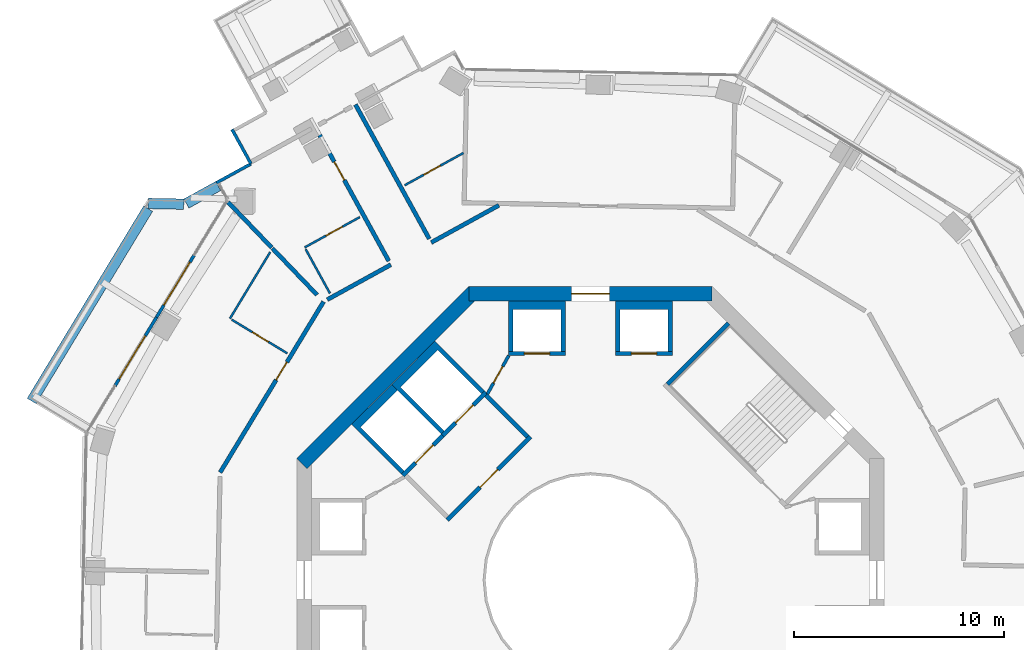
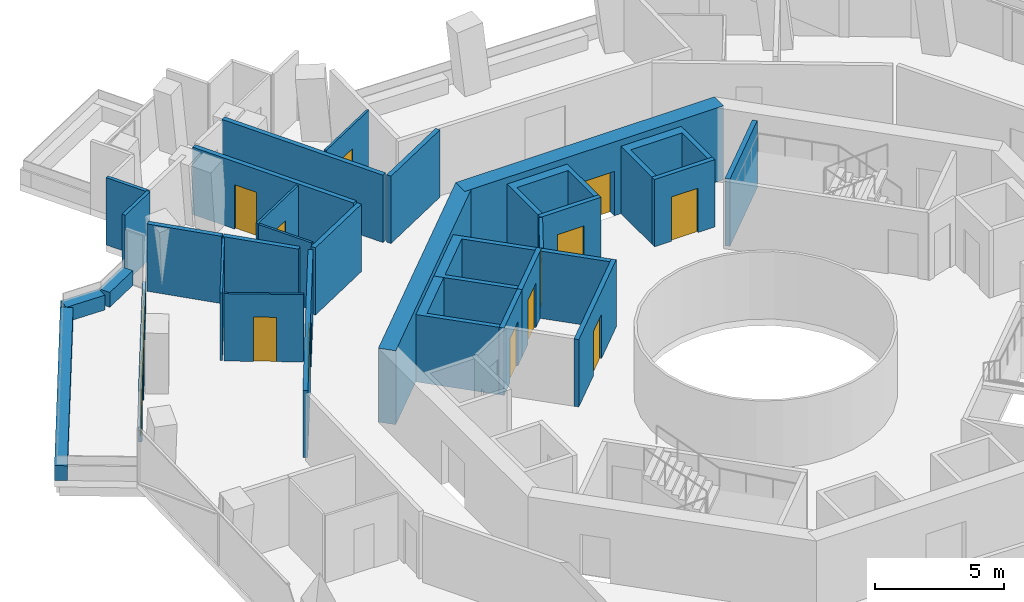
# One storey, part 17 of 22: 33 walls, 14 doors, 14 openings.
"""IFC4 building model written with IfcOpenShell, lengths in metres."""

from ifc_helpers import new_model, si_unit, direction, frame, frame_2d, origin, place, context, subcontext, project, spatial, polyline, rectangle, outline, extrude, material, layer, layer_set, type_object, element, fill, save


model = new_model("IFC4")

# Units and contexts
model_context = context("Model", 3, precision=1e-05, world=origin(), true_north=direction((0.0, 1.0)))
body_context = subcontext(model_context, "Body", "Model", "MODEL_VIEW")
ifc_project = project(units=[si_unit("LENGTHUNIT", "METRE"), si_unit("AREAUNIT", "SQUARE_METRE"), si_unit("VOLUMEUNIT", "CUBIC_METRE"), si_unit("PLANEANGLEUNIT", "RADIAN"), si_unit("MASSUNIT", "GRAM", prefix="KILO")], contexts=[model_context])

# Site, building, storey
site_placement = place(None, origin())
site = spatial("IfcSite", under=ifc_project, at=site_placement, CompositionType="ELEMENT")
building_placement = place(site_placement, origin())
building = spatial("IfcBuilding", under=site, at=building_placement, Name="Verdalira Terraces Hotel", CompositionType="ELEMENT")
storey_placement = place(building_placement, frame((0.0, 0.0, 150.5)))
storey = spatial("IfcBuildingStorey", under=building, at=storey_placement, Name="L36", CompositionType="ELEMENT", Elevation=150.5)

# Walls
ifc_material_1 = material(Name="Concrete C40", Category="concrete")
ifc_layer_1 = layer(ifc_material_1, 0.5)
ifc_layer_set_1 = layer_set([ifc_layer_1], Name="Balcony planter trough with tree")
wall_type_1 = type_object("IfcWallType", Name="Balcony planter trough with tree", PredefinedType="SOLIDWALL", material=ifc_layer_set_1)
wall_1_placement = place(storey_placement, frame((-17.744629, 18.783203, 0.0), z_axis=(0.0, 0.0, 1.0), x_axis=(-0.876317123, -0.481734678, 0.0)))
element("IfcWall", 1, at=wall_1_placement, inside=storey, type_object=wall_type_1, Name="Balcony planter", PredefinedType="SOLIDWALL", context=body_context, shape_type="SweptSolid", body=[
    extrude(rectangle(XDim=1.731201, YDim=0.5, at=frame_2d((0.865723, 0.0))), origin(), (0.0, 0.0, 1.0), 0.699951),
])
wall_2_placement = place(storey_placement, frame((-19.387451, 17.918213, 0.0), z_axis=(0.0, 0.0, 1.0), x_axis=(-0.99977885, 0.021029781, 0.0)))
element("IfcWall", 2, at=wall_2_placement, inside=storey, type_object=wall_type_1, Name="Balcony planter", PredefinedType="SOLIDWALL", context=body_context, shape_type="SweptSolid", body=[
    extrude(rectangle(XDim=1.695068, YDim=0.5, at=frame_2d((0.847656, 0.0))), origin(), (0.0, 0.0, 1.0), 0.699951),
])
wall_3_placement = place(storey_placement, frame((-21.087158, 17.703857, 0.0), z_axis=(0.0, 0.0, 1.0), x_axis=(-0.518021549, -0.855367567, 0.0)))
element("IfcWall", 3, at=wall_3_placement, inside=storey, type_object=wall_type_1, Name="Balcony planter", PredefinedType="SOLIDWALL", context=body_context, shape_type="SweptSolid", body=[
    extrude(rectangle(XDim=10.719482, YDim=0.5, at=frame_2d((5.359863, 0.0))), origin(), (0.0, 0.0, 1.0), 0.699951),
])
ifc_material_2 = material(Name="Moisture-resistant gypsum board partition")
ifc_layer_2 = layer(ifc_material_2, 0.10009765625)
ifc_layer_set_2 = layer_set([ifc_layer_2], Name="Bathroom partition 100 mm")
wall_type_2 = type_object("IfcWallType", Name="Bathroom partition 100 mm", PredefinedType="PARTITIONING", material=ifc_layer_set_2)
wall_4_placement = place(storey_placement, frame((-17.187256, 12.4646, 0.0), z_axis=(0.0, 0.0, 1.0), x_axis=(0.518019749, 0.855368657, 0.0)))
element("IfcWall", 4, at=wall_4_placement, inside=storey, type_object=wall_type_2, Name="Bathroom partition", PredefinedType="PARTITIONING", context=body_context, shape_type="SweptSolid", body=[
    extrude(rectangle(XDim=3.703857, YDim=0.100098, at=frame_2d((1.852051, 0.0))), origin(), (0.0, 0.0, 1.0), 3.189941),
])

# Wall, opening, door
wall_5_placement = place(storey_placement, frame((-17.101807, 12.412842, 0.0), z_axis=(0.0, 0.0, 1.0), x_axis=(0.855352235, -0.518046865, 0.0)))
wall_5 = element("IfcWall", 5, at=wall_5_placement, inside=storey, type_object=wall_type_2, Name="Bathroom partition", PredefinedType="PARTITIONING", context=body_context, shape_type="SweptSolid", body=[
    extrude(rectangle(XDim=3.100098, YDim=0.100098, at=frame_2d((1.550049, 0.0))), origin(), (0.0, 0.0, 1.0), 3.189941),
])
opening_1_placement = place(wall_5_placement, frame((1.149902, 0.0, 0.0)))
opening_1 = element("IfcOpeningElement", 6, at=opening_1_placement, cuts=wall_5, Name="Opening L36-107", PredefinedType="OPENING", context=body_context, shape_type="SweptSolid", body=[
    extrude(rectangle(XDim=0.899902, YDim=2.100098, at=frame_2d((0.449951, 1.050049))), frame((0.0, 0.060059, 0.0), z_axis=(0.0, -1.0, 0.0), x_axis=(1.0, 0.0, 0.0)), (0.0, 0.0, 1.0), 0.120117),
])
ifc_material_3 = material(Name="Timber door", Category="wood")
door_type_1 = type_object("IfcDoorType", Name="Bathroom door 900 x 2100", OperationType="NOTDEFINED", PredefinedType="DOOR", material=ifc_material_3)
door_1_placement = place(opening_1_placement, origin())
door_1 = element("IfcDoor", 7, at=door_1_placement, inside=storey, type_object=door_type_1, Name="Bathroom door 3603", OperationType="SINGLE_SWING_LEFT", OverallHeight=2.10009765625, OverallWidth=0.89990234375, PredefinedType="DOOR", context=body_context, shape_type="SweptSolid", body=[
    extrude(rectangle(XDim=0.899902, YDim=2.100098, at=frame_2d((0.449951, 1.050049))), frame((0.0, 0.024902, 0.0), z_axis=(0.0, -1.0, 0.0), x_axis=(1.0, 0.0, 0.0)), (0.0, 0.0, 1.0), 0.050049),
])
fill(opening_1, door_1)

# Wall
wall_6_placement = place(storey_placement, frame((-12.419678, 13.665527, 0.0), z_axis=(0.0, 0.0, 1.0), x_axis=(-0.481707849, 0.876331871, 0.0)))
element("IfcWall", 8, at=wall_6_placement, inside=storey, type_object=wall_type_2, Name="Bathroom partition", PredefinedType="PARTITIONING", context=body_context, shape_type="SweptSolid", body=[
    extrude(rectangle(XDim=2.399902, YDim=0.100098, at=frame_2d((1.199951, 0.0))), origin(), (0.0, 0.0, 1.0), 3.189941),
])

# Wall, opening, door
wall_7_placement = place(storey_placement, frame((-10.995117, 17.301514, 0.0), z_axis=(0.0, 0.0, 1.0), x_axis=(-0.876298369, -0.481768791, 0.0)))
wall_7 = element("IfcWall", 9, at=wall_7_placement, inside=storey, type_object=wall_type_2, Name="Bathroom partition", PredefinedType="PARTITIONING", context=body_context, shape_type="SweptSolid", body=[
    extrude(rectangle(XDim=3.0, YDim=0.100098, at=frame_2d((1.5, 0.0))), origin(), (0.0, 0.0, 1.0), 3.189941),
])
opening_2_placement = place(wall_7_placement, frame((0.949951, 0.0, 0.0)))
opening_2 = element("IfcOpeningElement", 10, at=opening_2_placement, cuts=wall_7, Name="Opening L36-105", PredefinedType="OPENING", context=body_context, shape_type="SweptSolid", body=[
    extrude(rectangle(XDim=0.899902, YDim=2.100098, at=frame_2d((0.449951, 1.050049))), frame((0.0, 0.060059, 0.0), z_axis=(0.0, -1.0, 0.0), x_axis=(1.0, 0.0, 0.0)), (0.0, 0.0, 1.0), 0.120117),
])
door_2_placement = place(opening_2_placement, origin())
door_2 = element("IfcDoor", 11, at=door_2_placement, inside=storey, type_object=door_type_1, Name="Bathroom door 3602", OperationType="SINGLE_SWING_RIGHT", OverallHeight=2.10009765625, OverallWidth=0.89990234375, PredefinedType="DOOR", context=body_context, shape_type="SweptSolid", body=[
    extrude(rectangle(XDim=0.899902, YDim=2.100098, at=frame_2d((0.449951, 1.050049))), frame((0.0, 0.024902, 0.0), z_axis=(0.0, -1.0, 0.0), x_axis=(1.0, 0.0, 0.0)), (0.0, 0.0, 1.0), 0.050049),
])
fill(opening_2, door_2)

wall_8_placement = place(storey_placement, frame((-6.057617, 20.358154, 0.0), z_axis=(0.0, 0.0, 1.0), x_axis=(-0.876301289, -0.48176348, 0.0)))
wall_8 = element("IfcWall", 12, at=wall_8_placement, inside=storey, type_object=wall_type_2, Name="Bathroom partition", PredefinedType="PARTITIONING", context=body_context, shape_type="SweptSolid", body=[
    extrude(rectangle(XDim=3.199219, YDim=0.100098, at=frame_2d((1.599609, 0.0))), origin(), (0.0, 0.0, 1.0), 3.189941),
])
opening_3_placement = place(wall_8_placement, frame((1.25, 0.0, 0.0)))
opening_3 = element("IfcOpeningElement", 13, at=opening_3_placement, cuts=wall_8, Name="Opening L36-103", PredefinedType="OPENING", context=body_context, shape_type="SweptSolid", body=[
    extrude(rectangle(XDim=0.899902, YDim=2.100098, at=frame_2d((0.449951, 1.050049))), frame((0.0, 0.060059, 0.0), z_axis=(0.0, -1.0, 0.0), x_axis=(1.0, 0.0, 0.0)), (0.0, 0.0, 1.0), 0.120117),
])
door_3_placement = place(opening_3_placement, origin())
door_3 = element("IfcDoor", 14, at=door_3_placement, inside=storey, type_object=door_type_1, Name="Bathroom door 3601", OperationType="SINGLE_SWING_LEFT", OverallHeight=2.10009765625, OverallWidth=0.89990234375, PredefinedType="DOOR", context=body_context, shape_type="SweptSolid", body=[
    extrude(rectangle(XDim=0.899902, YDim=2.100098, at=frame_2d((0.449951, 1.050049))), frame((0.0, 0.024902, 0.0), z_axis=(0.0, -1.0, 0.0), x_axis=(1.0, 0.0, 0.0)), (0.0, 0.0, 1.0), 0.050049),
])
fill(opening_3, door_3)

# Wall
ifc_material_4 = material(Name="Concrete C50", Category="concrete")
ifc_layer_3 = layer(ifc_material_4, 0.199951171875)
ifc_layer_set_3 = layer_set([ifc_layer_3], Name="Core RC wall 200 C50")
wall_type_3 = type_object("IfcWallType", Name="Core RC wall 200 C50", PredefinedType="SOLIDWALL", material=ifc_layer_set_3)
wall_9_placement = place(storey_placement, origin())
element("IfcWall", 15, at=wall_9_placement, inside=storey, type_object=wall_type_3, Name="L36 shaft wall N1", PredefinedType="SOLIDWALL", context=body_context, shape_type="SweptSolid", body=[
    extrude(outline(polyline([(3.899902, 13.300049), (3.899902, 10.899902), (3.699951, 10.899902), (3.699951, 12.899902), (1.399902, 12.899902), (1.399902, 10.899902), (1.199951, 10.899902), (1.199951, 13.300049), (3.899902, 13.300049)])), origin(), (0.0, 0.0, 1.0), 3.189941),
])

# Wall, opening, door
wall_10_placement = place(storey_placement, frame((1.199951, 10.800049, 0.0), z_axis=(0.0, 0.0, 1.0), x_axis=(1.0, 0.0, 0.0)))
wall_10 = element("IfcWall", 16, at=wall_10_placement, inside=storey, type_object=wall_type_3, Name="L36 shaft front wall N1", PredefinedType="SOLIDWALL", context=body_context, shape_type="SweptSolid", body=[
    extrude(rectangle(XDim=2.699951, YDim=0.199951, at=frame_2d((1.350098, 0.0))), origin(), (0.0, 0.0, 1.0), 3.189941),
])
opening_4_placement = place(wall_10_placement, frame((0.75, 0.0, 0.0)))
opening_4 = element("IfcOpeningElement", 17, at=opening_4_placement, cuts=wall_10, Name="Opening LD-L36-803", PredefinedType="OPENING", context=body_context, shape_type="SweptSolid", body=[
    extrude(rectangle(XDim=1.199951, YDim=2.100098, at=frame_2d((0.600098, 1.050049))), frame((0.0, 0.109863, 0.0), z_axis=(0.0, -1.0, 0.0), x_axis=(1.0, 0.0, 0.0)), (0.0, 0.0, 1.0), 0.219971),
])
ifc_material_5 = material(Name="Stainless steel", Category="steel")
door_type_2 = type_object("IfcDoorType", Name="Landing door 1200 x 2100", OperationType="NOTDEFINED", PredefinedType="DOOR", material=ifc_material_5)
door_4_placement = place(opening_4_placement, origin())
door_4 = element("IfcDoor", 18, at=door_4_placement, inside=storey, type_object=door_type_2, Name="Lift landing door LR3 L36", OperationType="DOUBLE_DOOR_SLIDING", OverallHeight=2.10009765625, OverallWidth=1.199951171875, PredefinedType="DOOR", context=body_context, shape_type="SweptSolid", body=[
    extrude(rectangle(XDim=1.199951, YDim=2.100098, at=frame_2d((0.600098, 1.050049))), frame((0.0, 0.024902, 0.0), z_axis=(0.0, -1.0, 0.0), x_axis=(1.0, 0.0, 0.0)), (0.0, 0.0, 1.0), 0.050049),
])
fill(opening_4, door_4)

# Wall
wall_11_placement = place(storey_placement, origin())
element("IfcWall", 19, at=wall_11_placement, inside=storey, type_object=wall_type_3, Name="L36 shaft wall N2", PredefinedType="SOLIDWALL", context=body_context, shape_type="SweptSolid", body=[
    extrude(outline(polyline([(-3.899902, 10.899902), (-3.899902, 13.300049), (-1.199951, 13.300049), (-1.199951, 10.899902), (-1.399902, 10.899902), (-1.399902, 12.899902), (-3.699951, 12.899902), (-3.699951, 10.899902), (-3.899902, 10.899902)])), origin(), (0.0, 0.0, 1.0), 3.189941),
])

# Wall, opening, door
wall_12_placement = place(storey_placement, frame((-1.199951, 10.800049, 0.0), z_axis=(0.0, 0.0, 1.0), x_axis=(-1.0, 0.0, 0.0)))
wall_12 = element("IfcWall", 20, at=wall_12_placement, inside=storey, type_object=wall_type_3, Name="L36 shaft front wall N2", PredefinedType="SOLIDWALL", context=body_context, shape_type="SweptSolid", body=[
    extrude(rectangle(XDim=2.699951, YDim=0.199951, at=frame_2d((1.350098, 0.0))), origin(), (0.0, 0.0, 1.0), 3.189941),
])
opening_5_placement = place(wall_12_placement, frame((0.75, 0.0, 0.0)))
opening_5 = element("IfcOpeningElement", 21, at=opening_5_placement, cuts=wall_12, Name="Opening LD-L36-804", PredefinedType="OPENING", context=body_context, shape_type="SweptSolid", body=[
    extrude(rectangle(XDim=1.199951, YDim=2.100098, at=frame_2d((0.600098, 1.050049))), frame((0.0, 0.109863, 0.0), z_axis=(0.0, -1.0, 0.0), x_axis=(1.0, 0.0, 0.0)), (0.0, 0.0, 1.0), 0.219971),
])
door_5_placement = place(opening_5_placement, origin())
door_5 = element("IfcDoor", 22, at=door_5_placement, inside=storey, type_object=door_type_2, Name="Lift landing door LR4 L36", OperationType="DOUBLE_DOOR_SLIDING", OverallHeight=2.10009765625, OverallWidth=1.199951171875, PredefinedType="DOOR", context=body_context, shape_type="SweptSolid", body=[
    extrude(rectangle(XDim=1.199951, YDim=2.100098, at=frame_2d((0.600098, 1.050049))), frame((0.0, 0.024902, 0.0), z_axis=(0.0, -1.0, 0.0), x_axis=(1.0, 0.0, 0.0)), (0.0, 0.0, 1.0), 0.050049),
])
fill(opening_5, door_5)

# Wall
wall_13_placement = place(storey_placement, origin())
element("IfcWall", 23, at=wall_13_placement, inside=storey, type_object=wall_type_3, Name="L36 shaft wall F1", PredefinedType="SOLIDWALL", context=body_context, shape_type="SweptSolid", body=[
    extrude(outline(polyline([(-9.475098, 9.33374), (-7.424561, 11.384521), (-5.055908, 9.015625), (-5.197266, 8.874268), (-7.283203, 10.960205), (-9.051025, 9.192383), (-6.965088, 7.106445), (-7.106445, 6.965088), (-9.475098, 9.33374)])), origin(), (0.0, 0.0, 1.0), 3.189941),
])

# Wall, opening, door
wall_14_placement = place(storey_placement, frame((-4.985107, 8.944824, 0.0), z_axis=(0.0, 0.0, 1.0), x_axis=(-0.707106781, -0.707106781, 0.0)))
wall_14 = element("IfcWall", 24, at=wall_14_placement, inside=storey, type_object=wall_type_3, Name="L36 shaft front wall F1", PredefinedType="SOLIDWALL", context=body_context, shape_type="SweptSolid", body=[
    extrude(rectangle(XDim=2.899902, YDim=0.199951, at=frame_2d((1.449951, 0.0))), origin(), (0.0, 0.0, 1.0), 3.189941),
])
opening_6_placement = place(wall_14_placement, frame((0.850098, 0.0, 0.0)))
opening_6 = element("IfcOpeningElement", 25, at=opening_6_placement, cuts=wall_14, Name="Opening LD-L36-807", PredefinedType="OPENING", context=body_context, shape_type="SweptSolid", body=[
    extrude(rectangle(XDim=1.199951, YDim=2.100098, at=frame_2d((0.600098, 1.050049))), frame((0.0, 0.109863, 0.0), z_axis=(0.0, -1.0, 0.0), x_axis=(1.0, 0.0, 0.0)), (0.0, 0.0, 1.0), 0.219971),
])
door_6_placement = place(opening_6_placement, origin())
door_6 = element("IfcDoor", 26, at=door_6_placement, inside=storey, type_object=door_type_2, Name="Lift landing door LF11 L36", OperationType="DOUBLE_DOOR_SLIDING", OverallHeight=2.10009765625, OverallWidth=1.199951171875, PredefinedType="DOOR", context=body_context, shape_type="SweptSolid", body=[
    extrude(rectangle(XDim=1.199951, YDim=2.100098, at=frame_2d((0.600098, 1.050049))), frame((0.0, 0.024902, 0.0), z_axis=(0.0, -1.0, 0.0), x_axis=(1.0, 0.0, 0.0)), (0.0, 0.0, 1.0), 0.050049),
])
fill(opening_6, door_6)

# Wall
wall_15_placement = place(storey_placement, origin())
element("IfcWall", 27, at=wall_15_placement, inside=storey, type_object=wall_type_3, Name="L36 shaft wall F2", PredefinedType="SOLIDWALL", context=body_context, shape_type="SweptSolid", body=[
    extrude(outline(polyline([(-11.384521, 7.424561), (-9.475098, 9.33374), (-9.192383, 9.051025), (-10.960205, 7.283203), (-8.874268, 5.197266), (-9.015625, 5.055908), (-11.384521, 7.424561)])), origin(), (0.0, 0.0, 1.0), 3.189941),
])

# Wall, opening, door
wall_16_placement = place(storey_placement, frame((-7.035645, 6.894287, 0.0), z_axis=(0.0, 0.0, 1.0), x_axis=(-0.707106781, -0.707106781, 0.0)))
wall_16 = element("IfcWall", 28, at=wall_16_placement, inside=storey, type_object=wall_type_3, Name="L36 shaft front wall F2", PredefinedType="SOLIDWALL", context=body_context, shape_type="SweptSolid", body=[
    extrude(rectangle(XDim=2.699951, YDim=0.199951, at=frame_2d((1.350098, 0.0))), origin(), (0.0, 0.0, 1.0), 3.189941),
])
opening_7_placement = place(wall_16_placement, frame((0.649902, 0.0, 0.0)))
opening_7 = element("IfcOpeningElement", 29, at=opening_7_placement, cuts=wall_16, Name="Opening LD-L36-808", PredefinedType="OPENING", context=body_context, shape_type="SweptSolid", body=[
    extrude(rectangle(XDim=1.199951, YDim=2.100098, at=frame_2d((0.600098, 1.050049))), frame((0.0, 0.109863, 0.0), z_axis=(0.0, -1.0, 0.0), x_axis=(1.0, 0.0, 0.0)), (0.0, 0.0, 1.0), 0.219971),
])
door_7_placement = place(opening_7_placement, origin())
door_7 = element("IfcDoor", 30, at=door_7_placement, inside=storey, type_object=door_type_2, Name="Lift landing door LF12 L36", OperationType="DOUBLE_DOOR_SLIDING", OverallHeight=2.10009765625, OverallWidth=1.199951171875, PredefinedType="DOOR", context=body_context, shape_type="SweptSolid", body=[
    extrude(rectangle(XDim=1.199951, YDim=2.100098, at=frame_2d((0.600098, 1.050049))), frame((0.0, 0.024902, 0.0), z_axis=(0.0, -1.0, 0.0), x_axis=(1.0, 0.0, 0.0)), (0.0, 0.0, 1.0), 0.050049),
])
fill(opening_7, door_7)

# Wall
wall_17_placement = place(storey_placement, frame((3.677002, 9.33374, 0.0), z_axis=(0.0, 0.0, 1.0), x_axis=(0.707106781, 0.707106781, 0.0)))
element("IfcWall", 31, at=wall_17_placement, inside=storey, type_object=wall_type_3, Name="L36 stair ST1 end wall 2", PredefinedType="SOLIDWALL", context=body_context, shape_type="SweptSolid", body=[
    extrude(rectangle(XDim=4.100098, YDim=0.199951, at=frame_2d((2.050049, 0.0))), origin(), (0.0, 0.0, 1.0), 3.189941),
])

# Wall, opening, door
wall_18_placement = place(storey_placement, frame((-2.86377, 6.823486, 0.0), z_axis=(0.0, 0.0, 1.0), x_axis=(-0.707106781, -0.707106781, 0.0)))
wall_18 = element("IfcWall", 32, at=wall_18_placement, inside=storey, type_object=wall_type_3, Name="L36 fire lobby wall", PredefinedType="SOLIDWALL", context=body_context, shape_type="SweptSolid", body=[
    extrude(rectangle(XDim=5.599854, YDim=0.199951, at=frame_2d((2.799805, 0.0))), origin(), (0.0, 0.0, 1.0), 3.189941),
])
opening_8_placement = place(wall_18_placement, frame((2.199951, 0.0, 0.0)))
opening_8 = element("IfcOpeningElement", 33, at=opening_8_placement, cuts=wall_18, Name="Opening L36-819", PredefinedType="OPENING", context=body_context, shape_type="SweptSolid", body=[
    extrude(rectangle(XDim=1.199951, YDim=2.100098, at=frame_2d((0.600098, 1.050049))), frame((0.0, 0.109863, 0.0), z_axis=(0.0, -1.0, 0.0), x_axis=(1.0, 0.0, 0.0)), (0.0, 0.0, 1.0), 0.219971),
])
ifc_material_6 = material(Name="Steel fire door", Category="steel")
door_type_3 = type_object("IfcDoorType", Name="Lobby door 1200 x 2100", OperationType="NOTDEFINED", PredefinedType="DOOR", material=ifc_material_6)
door_8_placement = place(opening_8_placement, origin())
door_8 = element("IfcDoor", 34, at=door_8_placement, inside=storey, type_object=door_type_3, Name="Fire lobby door L36", OperationType="SINGLE_SWING_LEFT", OverallHeight=2.10009765625, OverallWidth=1.199951171875, PredefinedType="DOOR", context=body_context, shape_type="SweptSolid", body=[
    extrude(rectangle(XDim=1.199951, YDim=2.100098, at=frame_2d((0.600098, 1.050049))), frame((0.0, 0.024902, 0.0), z_axis=(0.0, -1.0, 0.0), x_axis=(1.0, 0.0, 0.0)), (0.0, 0.0, 1.0), 0.050049),
])
fill(opening_8, door_8)

# Wall
wall_19_placement = place(storey_placement, frame((-3.005127, 6.823486, 0.0), z_axis=(0.0, 0.0, 1.0), x_axis=(-0.707106781, 0.707106781, 0.0)))
element("IfcWall", 35, at=wall_19_placement, inside=storey, type_object=wall_type_3, Name="L36 fire lobby wall", PredefinedType="SOLIDWALL", context=body_context, shape_type="SweptSolid", body=[
    extrude(rectangle(XDim=2.800049, YDim=0.199951, at=frame_2d((1.399902, 0.0))), origin(), (0.0, 0.0, 1.0), 3.189941),
])

# Wall, opening, door
ifc_material_7 = material(Name="Gypsum board partition")
ifc_layer_4 = layer(ifc_material_7, 0.14990234375)
ifc_layer_set_4 = layer_set([ifc_layer_4], Name="Core partition 150 mm")
wall_type_4 = type_object("IfcWallType", Name="Core partition 150 mm", PredefinedType="PARTITIONING", material=ifc_layer_set_4)
wall_20_placement = place(storey_placement, frame((-3.899902, 10.699951, 0.0), z_axis=(0.0, 0.0, 1.0), x_axis=(-0.485692555, -0.874129705, 0.0)))
wall_20 = element("IfcWall", 36, at=wall_20_placement, inside=storey, type_object=wall_type_4, Name="Room partition L36", PredefinedType="PARTITIONING", context=body_context, shape_type="SweptSolid", body=[
    extrude(rectangle(XDim=2.088623, YDim=0.149902, at=frame_2d((1.044434, 0.0))), origin(), (0.0, 0.0, 1.0), 3.189941),
])
opening_9_placement = place(wall_20_placement, frame((0.594238, 0.0, 0.0)))
opening_9 = element("IfcOpeningElement", 37, at=opening_9_placement, cuts=wall_20, Name="Opening L36-821", PredefinedType="OPENING", context=body_context, shape_type="SweptSolid", body=[
    extrude(rectangle(XDim=0.899902, YDim=2.100098, at=frame_2d((0.449951, 1.050049))), frame((0.0, 0.084961, 0.0), z_axis=(0.0, -1.0, 0.0), x_axis=(1.0, 0.0, 0.0)), (0.0, 0.0, 1.0), 0.169922),
])
ifc_material_8 = material(Name="Steel fire door", Category="steel")
door_type_4 = type_object("IfcDoorType", Name="Core room door 900 x 2100", OperationType="NOTDEFINED", PredefinedType="DOOR", material=ifc_material_8)
door_9_placement = place(opening_9_placement, origin())
door_9 = element("IfcDoor", 38, at=door_9_placement, inside=storey, type_object=door_type_4, Name="Door L36 room2", OperationType="SINGLE_SWING_LEFT", OverallHeight=2.10009765625, OverallWidth=0.89990234375, PredefinedType="DOOR", context=body_context, shape_type="SweptSolid", body=[
    extrude(rectangle(XDim=0.899902, YDim=2.100098, at=frame_2d((0.449951, 1.050049))), frame((0.0, 0.024902, 0.0), z_axis=(0.0, -1.0, 0.0), x_axis=(1.0, 0.0, 0.0)), (0.0, 0.0, 1.0), 0.050049),
])
fill(opening_9, door_9)

ifc_material_9 = material(Name="Concrete C60", Category="concrete")
ifc_layer_5 = layer(ifc_material_9, 0.699951171875)
ifc_layer_set_5 = layer_set([ifc_layer_5], Name="Core wall 700 C60")
wall_type_5 = type_object("IfcWallType", Name="Core wall 700 C60", PredefinedType="SHEAR", material=ifc_layer_set_5)
wall_21_placement = place(storey_placement, frame((5.799072, 13.649902, 0.0), z_axis=(0.0, 0.0, 1.0), x_axis=(-1.0, 0.0, 0.0)))
wall_21 = element("IfcWall", 39, at=wall_21_placement, inside=storey, type_object=wall_type_5, Name="Core wall CW-L36-3", PredefinedType="SHEAR", context=body_context, shape_type="SweptSolid", body=[
    extrude(rectangle(XDim=11.598145, YDim=0.699951, at=frame_2d((5.799072, 0.0))), origin(), (0.0, 0.0, 1.0), 3.5),
])
opening_10_placement = place(wall_21_placement, frame((4.898926, 0.0, 0.0)))
opening_10 = element("IfcOpeningElement", 40, at=opening_10_placement, cuts=wall_21, Name="Opening L36-813", PredefinedType="OPENING", context=body_context, shape_type="SweptSolid", body=[
    extrude(rectangle(XDim=1.800049, YDim=2.100098, at=frame_2d((0.899902, 1.050049))), frame((0.0, 0.359863, 0.0), z_axis=(0.0, -1.0, 0.0), x_axis=(1.0, 0.0, 0.0)), (0.0, 0.0, 1.0), 0.719971),
])
ifc_material_10 = material(Name="Steel fire door", Category="steel")
door_type_5 = type_object("IfcDoorType", Name="Core entry door pair 1800 x 2100", OperationType="NOTDEFINED", PredefinedType="DOOR", material=ifc_material_10)
door_10_placement = place(opening_10_placement, origin())
door_10 = element("IfcDoor", 41, at=door_10_placement, inside=storey, type_object=door_type_5, Name="Core entry door L36 2", OperationType="DOUBLE_DOOR_SINGLE_SWING", OverallHeight=2.10009765625, OverallWidth=1.800048828125, PredefinedType="DOOR", context=body_context, shape_type="SweptSolid", body=[
    extrude(rectangle(XDim=1.800049, YDim=2.100098, at=frame_2d((0.899902, 1.050049))), frame((0.0, 0.024902, 0.0), z_axis=(0.0, -1.0, 0.0), x_axis=(1.0, 0.0, 0.0)), (0.0, 0.0, 1.0), 0.050049),
])
fill(opening_10, door_10)

# Walls
wall_22_placement = place(storey_placement, frame((-5.551514, 13.752441, 0.0), z_axis=(0.0, 0.0, 1.0), x_axis=(-0.707106781, -0.707106781, 0.0)))
element("IfcWall", 42, at=wall_22_placement, inside=storey, type_object=wall_type_5, Name="Core wall CW-L36-4", PredefinedType="SHEAR", context=body_context, shape_type="SweptSolid", body=[
    extrude(rectangle(XDim=11.5979, YDim=0.699951, at=frame_2d((5.798828, 0.0))), origin(), (0.0, 0.0, 1.0), 3.5),
])
ifc_material_11 = material(Name="Fire-rated gypsum board wall")
ifc_layer_6 = layer(ifc_material_11, 0.199951171875)
ifc_layer_set_6 = layer_set([ifc_layer_6], Name="Demising wall 200 mm")
wall_type_6 = type_object("IfcWallType", Name="Demising wall 200 mm", PredefinedType="SOLIDWALL", material=ifc_layer_set_6)
wall_23_placement = place(storey_placement, frame((-15.194336, 15.844482, 0.0), z_axis=(0.0, 0.0, 1.0), x_axis=(-0.692157108, 0.721746865, 0.0)))
element("IfcWall", 43, at=wall_23_placement, inside=storey, type_object=wall_type_6, Name="Demising wall", PredefinedType="SOLIDWALL", context=body_context, shape_type="SweptSolid", body=[
    extrude(rectangle(XDim=3.011475, YDim=0.199951, at=frame_2d((1.505859, 0.0))), origin(), (0.0, 0.0, 1.0), 3.189941),
])
wall_24_placement = place(storey_placement, frame((-13.034424, 13.592285, 0.0), z_axis=(0.0, 0.0, 1.0), x_axis=(-0.692182982, 0.721722051, 0.0)))
element("IfcWall", 44, at=wall_24_placement, inside=storey, type_object=wall_type_6, Name="Demising wall", PredefinedType="SOLIDWALL", context=body_context, shape_type="SweptSolid", body=[
    extrude(rectangle(XDim=3.074463, YDim=0.199951, at=frame_2d((1.537109, 0.0))), origin(), (0.0, 0.0, 1.0), 3.189941),
])

# Wall, opening, door
ifc_material_12 = material(Name="Fire-rated gypsum board wall")
ifc_layer_7 = layer(ifc_material_12, 0.199951171875)
ifc_layer_set_7 = layer_set([ifc_layer_7], Name="Guest corridor wall 200 mm")
wall_type_7 = type_object("IfcWallType", Name="Guest corridor wall 200 mm", PredefinedType="SOLIDWALL", material=ifc_layer_set_7)
wall_25_placement = place(storey_placement, frame((-17.654541, 5.129639, 0.0), z_axis=(0.0, 0.0, 1.0), x_axis=(0.518037864, 0.855357686, 0.0)))
wall_25 = element("IfcWall", 45, at=wall_25_placement, inside=storey, type_object=wall_type_7, Name="Guest corridor wall", PredefinedType="SOLIDWALL", context=body_context, shape_type="SweptSolid", body=[
    extrude(rectangle(XDim=9.516113, YDim=0.199951, at=frame_2d((4.758057, 0.0))), origin(), (0.0, 0.0, 1.0), 3.189941),
])
opening_11_placement = place(wall_25_placement, frame((5.149902, 0.0, 0.0)))
opening_11 = element("IfcOpeningElement", 46, at=opening_11_placement, cuts=wall_25, Name="Opening L36-106", PredefinedType="OPENING", context=body_context, shape_type="SweptSolid", body=[
    extrude(rectangle(XDim=1.0, YDim=2.100098, at=frame_2d((0.5, 1.050049))), frame((0.0, 0.109863, 0.0), z_axis=(0.0, -1.0, 0.0), x_axis=(1.0, 0.0, 0.0)), (0.0, 0.0, 1.0), 0.219971),
])
ifc_material_13 = material(Name="Timber fire door", Category="wood")
door_type_6 = type_object("IfcDoorType", Name="Guest entry door 1000 x 2100", OperationType="NOTDEFINED", PredefinedType="DOOR", material=ifc_material_13)
door_11_placement = place(opening_11_placement, origin())
door_11 = element("IfcDoor", 47, at=door_11_placement, inside=storey, type_object=door_type_6, Name="Guest entry door 3603", OperationType="SINGLE_SWING_LEFT", OverallHeight=2.10009765625, OverallWidth=1.0, PredefinedType="DOOR", context=body_context, shape_type="SweptSolid", body=[
    extrude(rectangle(XDim=1.0, YDim=2.100098, at=frame_2d((0.5, 1.050049))), frame((0.0, 0.024902, 0.0), z_axis=(0.0, -1.0, 0.0), x_axis=(1.0, 0.0, 0.0)), (0.0, 0.0, 1.0), 0.050049),
])
fill(opening_11, door_11)

wall_26_placement = place(storey_placement, frame((-9.615479, 15.207031, 0.0), z_axis=(0.0, 0.0, 1.0), x_axis=(-0.481736431, 0.876316159, 0.0)))
wall_26 = element("IfcWall", 48, at=wall_26_placement, inside=storey, type_object=wall_type_7, Name="Guest corridor wall", PredefinedType="SOLIDWALL", context=body_context, shape_type="SweptSolid", body=[
    extrude(rectangle(XDim=7.299805, YDim=0.199951, at=frame_2d((3.649902, 0.0))), origin(), (0.0, 0.0, 1.0), 3.189941),
])
opening_12_placement = place(wall_26_placement, frame((4.399902, 0.0, 0.0)))
opening_12 = element("IfcOpeningElement", 49, at=opening_12_placement, cuts=wall_26, Name="Opening L36-104", PredefinedType="OPENING", context=body_context, shape_type="SweptSolid", body=[
    extrude(rectangle(XDim=1.0, YDim=2.100098, at=frame_2d((0.5, 1.050049))), frame((0.0, 0.109863, 0.0), z_axis=(0.0, -1.0, 0.0), x_axis=(1.0, 0.0, 0.0)), (0.0, 0.0, 1.0), 0.219971),
])
door_12_placement = place(opening_12_placement, origin())
door_12 = element("IfcDoor", 50, at=door_12_placement, inside=storey, type_object=door_type_6, Name="Guest entry door 3602", OperationType="SINGLE_SWING_RIGHT", OverallHeight=2.10009765625, OverallWidth=1.0, PredefinedType="DOOR", context=body_context, shape_type="SweptSolid", body=[
    extrude(rectangle(XDim=1.0, YDim=2.100098, at=frame_2d((0.5, 1.050049))), frame((0.0, 0.024902, 0.0), z_axis=(0.0, -1.0, 0.0), x_axis=(1.0, 0.0, 0.0)), (0.0, 0.0, 1.0), 0.050049),
])
fill(opening_12, door_12)

# Walls
wall_27_placement = place(storey_placement, frame((-9.519043, 15.031738, 0.0), z_axis=(0.0, 0.0, 1.0), x_axis=(-0.876309794, -0.481748009, 0.0)))
element("IfcWall", 51, at=wall_27_placement, inside=storey, type_object=wall_type_7, Name="Guest corridor wall", PredefinedType="SOLIDWALL", context=body_context, shape_type="SweptSolid", body=[
    extrude(rectangle(XDim=3.458252, YDim=0.199951, at=frame_2d((1.729004, 0.0))), origin(), (0.0, 0.0, 1.0), 3.189941),
])
wall_28_placement = place(storey_placement, frame((-7.6875, 16.266846, 0.0), z_axis=(0.0, 0.0, 1.0), x_axis=(-0.481747995, 0.876309802, 0.0)))
element("IfcWall", 52, at=wall_28_placement, inside=storey, type_object=wall_type_7, Name="Guest corridor wall", PredefinedType="SOLIDWALL", context=body_context, shape_type="SweptSolid", body=[
    extrude(rectangle(XDim=7.300293, YDim=0.199951, at=frame_2d((3.650146, 0.0))), origin(), (0.0, 0.0, 1.0), 3.189941),
])
wall_29_placement = place(storey_placement, frame((-4.36792, 17.86377, 0.0), z_axis=(0.0, 0.0, 1.0), x_axis=(-0.876318187, -0.481732743, 0.0)))
element("IfcWall", 53, at=wall_29_placement, inside=storey, type_object=wall_type_7, Name="Guest corridor wall", PredefinedType="SOLIDWALL", context=body_context, shape_type="SweptSolid", body=[
    extrude(rectangle(XDim=3.678223, YDim=0.199951, at=frame_2d((1.839111, 0.0))), origin(), (0.0, 0.0, 1.0), 3.189941),
])
ifc_material_14 = material(Name="Terracotta cladding", Category="masonry")
ifc_layer_8 = layer(ifc_material_14, 0.14990234375)
ifc_layer_set_8 = layer_set([ifc_layer_8], Name="Terracotta clad wall 150")
wall_type_8 = type_object("IfcWallType", Name="Terracotta clad wall 150", PredefinedType="SOLIDWALL", material=ifc_layer_set_8)
wall_30_placement = place(storey_placement, frame((-17.088379, 21.483398, 0.0), z_axis=(0.0, 0.0, 1.0), x_axis=(0.481713826, -0.876328585, 0.0)))
element("IfcWall", 54, at=wall_30_placement, inside=storey, type_object=wall_type_8, Name="Terracotta cladding wall", PredefinedType="SOLIDWALL", context=body_context, shape_type="SweptSolid", body=[
    extrude(rectangle(XDim=1.875244, YDim=0.149902, at=frame_2d((0.9375, 0.0))), origin(), (0.0, 0.0, 1.0), 3.189941),
])
wall_31_placement = place(storey_placement, frame((-16.185059, 19.840088, 0.0), z_axis=(0.0, 0.0, 1.0), x_axis=(-0.876353337, -0.481668796, 0.0)))
element("IfcWall", 55, at=wall_31_placement, inside=storey, type_object=wall_type_8, Name="Terracotta cladding wall", PredefinedType="SOLIDWALL", context=body_context, shape_type="SweptSolid", body=[
    extrude(rectangle(XDim=1.875, YDim=0.149902, at=frame_2d((0.9375, 0.0))), origin(), (0.0, 0.0, 1.0), 3.189941),
])

# Wall, opening, door
ifc_material_15 = material(Name="Terracotta cladding", Category="masonry")
ifc_layer_9 = layer(ifc_material_15, 0.14990234375)
ifc_layer_set_9 = layer_set([ifc_layer_9], Name="Terracotta door pier 150")
wall_type_9 = type_object("IfcWallType", Name="Terracotta door pier 150", PredefinedType="SOLIDWALL", material=ifc_layer_set_9)
wall_32_placement = place(storey_placement, frame((-18.885498, 15.5, 0.0), z_axis=(0.0, 0.0, 1.0), x_axis=(-0.518004284, -0.855378023, 0.0)))
wall_32 = element("IfcWall", 56, at=wall_32_placement, inside=storey, type_object=wall_type_9, Name="Terracotta door pier", PredefinedType="SOLIDWALL", context=body_context, shape_type="SweptSolid", body=[
    extrude(rectangle(XDim=3.474854, YDim=0.149902, at=frame_2d((1.737305, 0.0))), origin(), (0.0, 0.0, 1.0), 2.475098),
])
opening_13_placement = place(wall_32_placement, frame((0.399902, 0.0, 0.0)))
opening_13 = element("IfcOpeningElement", 57, at=opening_13_placement, cuts=wall_32, Name="Opening L36-B02", PredefinedType="OPENING", context=body_context, shape_type="SweptSolid", body=[
    extrude(rectangle(XDim=2.399902, YDim=2.399902, at=frame_2d((1.199951, 1.199951))), frame((0.0, 0.084961, 0.0), z_axis=(0.0, -1.0, 0.0), x_axis=(1.0, 0.0, 0.0)), (0.0, 0.0, 1.0), 0.169922),
])
ifc_material_16 = material(Name="Clear glass", Category="glass")
door_type_7 = type_object("IfcDoorType", Name="Balcony sliding door 2400x2400", OperationType="NOTDEFINED", PredefinedType="DOOR", material=ifc_material_16)
door_13_placement = place(opening_13_placement, origin())
door_13 = element("IfcDoor", 58, at=door_13_placement, inside=storey, type_object=door_type_7, Name="Balcony sliding door", OperationType="SLIDING_TO_RIGHT", OverallHeight=2.39990234375, OverallWidth=2.39990234375, PredefinedType="DOOR", context=body_context, shape_type="SweptSolid", body=[
    extrude(rectangle(XDim=2.399902, YDim=2.399902, at=frame_2d((1.199951, 1.199951))), frame((0.0, 0.024902, 0.0), z_axis=(0.0, -1.0, 0.0), x_axis=(1.0, 0.0, 0.0)), (0.0, 0.0, 1.0), 0.050049),
])
fill(opening_13, door_13)

wall_33_placement = place(storey_placement, frame((-20.685547, 12.527588, 0.0), z_axis=(0.0, 0.0, 1.0), x_axis=(-0.518011078, -0.855373908, 0.0)))
wall_33 = element("IfcWall", 59, at=wall_33_placement, inside=storey, type_object=wall_type_9, Name="Terracotta door pier", PredefinedType="SOLIDWALL", context=body_context, shape_type="SweptSolid", body=[
    extrude(rectangle(XDim=3.835449, YDim=0.149902, at=frame_2d((1.917725, 0.0))), origin(), (0.0, 0.0, 1.0), 2.475098),
])
opening_14_placement = place(wall_33_placement, frame((1.0354, 0.0, 0.0)))
opening_14 = element("IfcOpeningElement", 60, at=opening_14_placement, cuts=wall_33, Name="Opening L36-B03", PredefinedType="OPENING", context=body_context, shape_type="SweptSolid", body=[
    extrude(rectangle(XDim=2.399902, YDim=2.399902, at=frame_2d((1.199951, 1.199951))), frame((0.0, 0.084961, 0.0), z_axis=(0.0, -1.0, 0.0), x_axis=(1.0, 0.0, 0.0)), (0.0, 0.0, 1.0), 0.169922),
])
door_14_placement = place(opening_14_placement, origin())
door_14 = element("IfcDoor", 61, at=door_14_placement, inside=storey, type_object=door_type_7, Name="Balcony sliding door", OperationType="SLIDING_TO_LEFT", OverallHeight=2.39990234375, OverallWidth=2.39990234375, PredefinedType="DOOR", context=body_context, shape_type="SweptSolid", body=[
    extrude(rectangle(XDim=2.399902, YDim=2.399902, at=frame_2d((1.199951, 1.199951))), frame((0.0, 0.024902, 0.0), z_axis=(0.0, -1.0, 0.0), x_axis=(1.0, 0.0, 0.0)), (0.0, 0.0, 1.0), 0.050049),
])
fill(opening_14, door_14)

save(model, "model.ifc")
